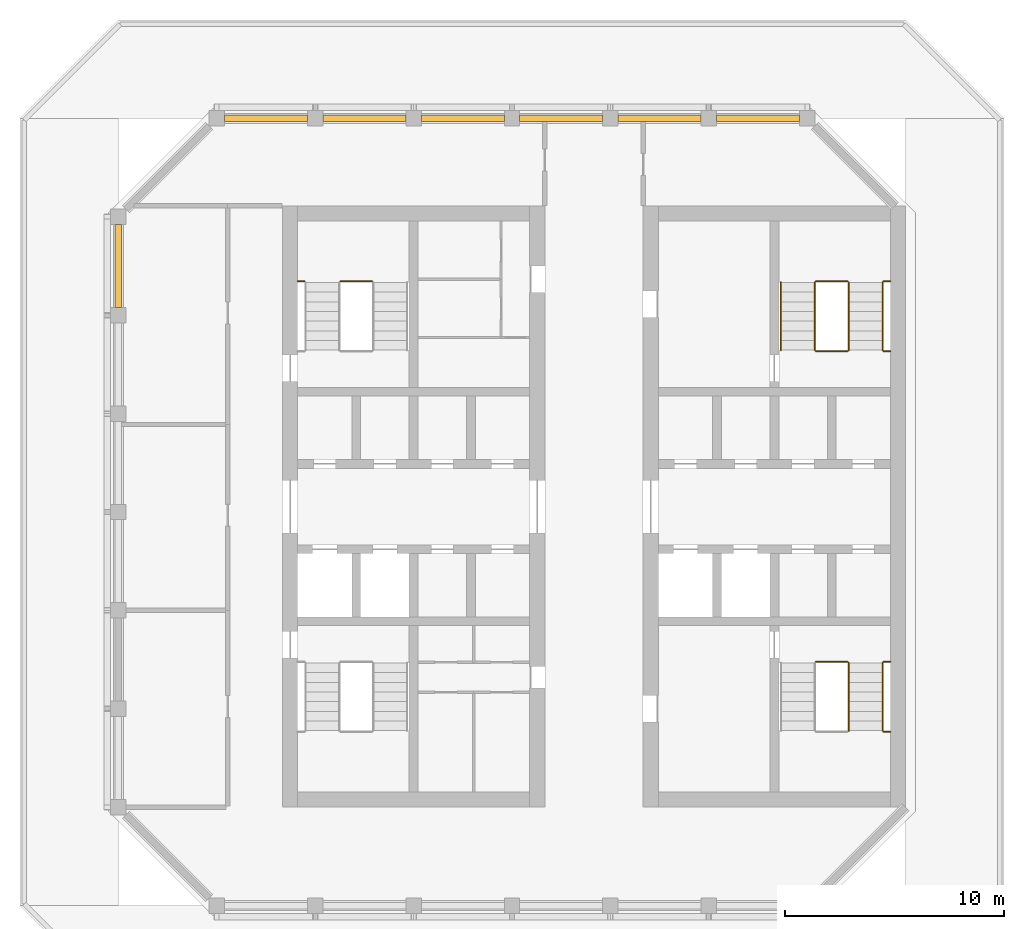
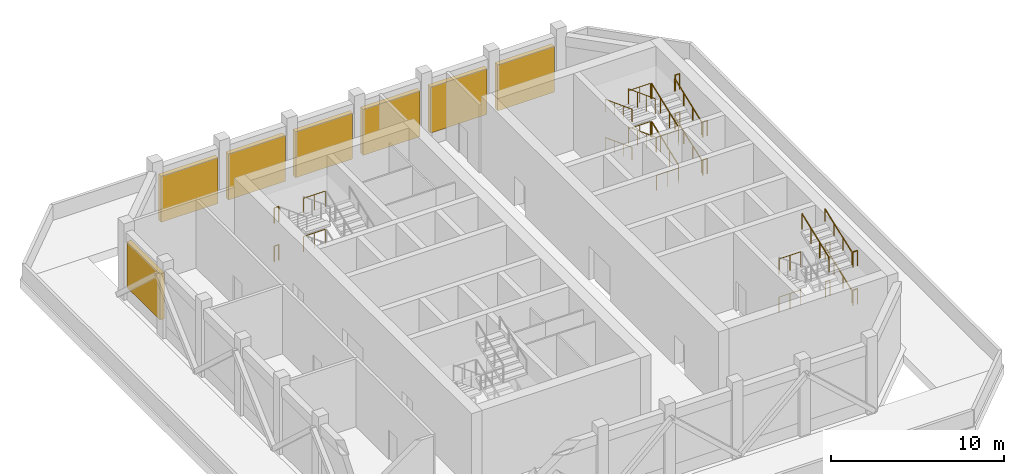
# One storey, part 8 of 8: 29 railings, 7 shading devices.
"""IFC4 building model written with IfcOpenShell, lengths in metres."""

from ifc_helpers import new_model, si_unit, direction, frame, origin, origin_2d, place, context, subcontext, project, spatial, rectangle, circle, extrude, material, layer, layer_set, type_object, element, save


model = new_model("IFC4")

# Units and contexts
model_context = context("Model", 3, precision=1e-05, world=origin(), true_north=direction((0.0, 1.0)))
body_context = subcontext(model_context, "Body", "Model", "MODEL_VIEW")
ifc_project = project(units=[si_unit("LENGTHUNIT", "METRE"), si_unit("AREAUNIT", "SQUARE_METRE"), si_unit("VOLUMEUNIT", "CUBIC_METRE"), si_unit("PLANEANGLEUNIT", "RADIAN"), si_unit("MASSUNIT", "GRAM", prefix="KILO")], contexts=[model_context])

# Site, building, storey
site_placement = place(None, origin())
site = spatial("IfcSite", under=ifc_project, at=site_placement, CompositionType="ELEMENT")
building_placement = place(site_placement, origin())
building = spatial("IfcBuilding", under=site, at=building_placement, Name="Corbel Stack Research Tower", CompositionType="ELEMENT")
storey_placement = place(building_placement, frame((0.0, 0.0, 301.0)))
storey = spatial("IfcBuildingStorey", under=building, at=storey_placement, Name="L68", CompositionType="ELEMENT", Elevation=301.0)

# Shading devices
ifc_material_1 = material(Name="Aluminium louvre", Category="aluminium")
ifc_layer = layer(ifc_material_1, 0.300048828125)
ifc_layer_set = layer_set([ifc_layer], Name="Aluminium louvre")
shading_device_type = type_object("IfcShadingDeviceType", Name="Plant louvre 300", PredefinedType="USERDEFINED", material=ifc_layer_set)
for number, where, z_axis, x_axis, name in (
    (1, (11.25, 22.5, 0.85009765625), (0.0, 0.0, 1.0), (-1.0, 0.0, 0.0), "Plant louvre L68-09"),
    (2, (6.75, 22.5, 0.85009765625), (0.0, 0.0, 1.0), (-1.0, 0.0, 0.0), "Plant louvre L68-10"),
    (3, (2.25, 22.5, 0.85009765625), (0.0, 0.0, 1.0), (-1.0, 0.0, 0.0), "Plant louvre L68-11"),
    (4, (-2.25, 22.5, 0.85009765625), (0.0, 0.0, 1.0), (-1.0, 0.0, 0.0), "Plant louvre L68-12"),
    (5, (-6.75, 22.5, 0.85009765625), (0.0, 0.0, 1.0), (-1.0, 0.0, 0.0), "Plant louvre L68-13"),
    (6, (-11.25, 22.5, 0.85009765625), (0.0, 0.0, 1.0), (-1.0, 0.0, 0.0), "Plant louvre L68-14"),
    (7, (-18.0, 15.75, 0.85009765625), (0.0, 0.0, 1.0), (0.0, -1.0, 0.0), "Plant louvre L68-16"),
):
    element("IfcShadingDevice", number, at=place(storey_placement, frame(where, z_axis=z_axis, x_axis=x_axis)), inside=storey, type_object=shading_device_type, Name=name, ObjectType="LOUVRE", PredefinedType="USERDEFINED", context=body_context, shape_type="SweptSolid", body=[
        extrude(rectangle(XDim=3.800048828125, YDim=0.300048828125, at=origin_2d()), origin(), (0.0, 0.0, 1.0), 3.25),
    ])

# Railings
ifc_material_2 = material(Name="Steel S355", Category="steel")
railing_type_1 = type_object("IfcRailingType", Name="Stair guard 1100", PredefinedType="GUARDRAIL", material=ifc_material_2)
railing_1_placement = place(storey_placement, frame((-6.39990234375, 15.051025390625, 1.35009765625)))
element("IfcRailing", 8, at=railing_1_placement, inside=storey, type_object=railing_type_1, Name="L68 ST-W2 stair guard 2", PredefinedType="GUARDRAIL", context=body_context, shape_type="SweptSolid", body=[
    extrude(circle(Radius=0.02392578125, at=origin_2d()), frame((0.0, 0.0, 1.076171875), z_axis=(-1.0, 0.0, 0.0), x_axis=(0.0, -1.0, 0.0)), (0.0, 0.0, 1.0), 1.4501953125),
    extrude(circle(Radius=0.02099609375, at=origin_2d()), origin(), (0.0, 0.0, 1.0), 1.052001953125),
    extrude(circle(Radius=0.02099609375, at=origin_2d()), frame((-0.72509765625, 0.0, 0.0)), (0.0, 0.0, 1.0), 1.052001953125),
    extrude(circle(Radius=0.02099609375, at=origin_2d()), frame((-1.4501953125, 0.0, 0.0)), (0.0, 0.0, 1.0), 1.052001953125),
])
railing_2_placement = place(storey_placement, frame((-9.5, 15.051025390625, 1.35009765625)))
element("IfcRailing", 9, at=railing_2_placement, inside=storey, type_object=railing_type_1, Name="L68 ST-W2 stair guard 3", PredefinedType="GUARDRAIL", context=body_context, shape_type="SweptSolid", body=[
    extrude(circle(Radius=0.02392578125, at=origin_2d()), frame((0.0, 0.0, 1.076171875), z_axis=(-1.0, 0.0, 0.0), x_axis=(0.0, -1.0, 0.0)), (0.0, 0.0, 1.0), 0.300048828125),
    extrude(circle(Radius=0.02099609375, at=origin_2d()), origin(), (0.0, 0.0, 1.0), 1.052001953125),
    extrude(circle(Radius=0.02099609375, at=origin_2d()), frame((-0.300048828125, 0.0, 0.0)), (0.0, 0.0, 1.0), 1.052001953125),
])
railing_3_placement = place(storey_placement, frame((-6.39990234375, 15.051025390625, 4.050048828125)))
element("IfcRailing", 10, at=railing_3_placement, inside=storey, type_object=railing_type_1, Name="L68 ST-W2 stair guard 8", PredefinedType="GUARDRAIL", context=body_context, shape_type="SweptSolid", body=[
    extrude(circle(Radius=0.02392578125, at=origin_2d()), frame((0.0, 0.0, 1.076171875), z_axis=(-1.0, 0.0, 0.0), x_axis=(0.0, -1.0, 0.0)), (0.0, 0.0, 1.0), 1.4501953125),
    extrude(circle(Radius=0.02099609375, at=origin_2d()), origin(), (0.0, 0.0, 1.0), 1.052001953125),
    extrude(circle(Radius=0.02099609375, at=origin_2d()), frame((-0.72509765625, 0.0, 0.0)), (0.0, 0.0, 1.0), 1.052001953125),
    extrude(circle(Radius=0.02099609375, at=origin_2d()), frame((-1.4501953125, 0.0, 0.0)), (0.0, 0.0, 1.0), 1.052001953125),
])
railing_4_placement = place(storey_placement, frame((-9.5, 15.051025390625, 4.050048828125)))
element("IfcRailing", 11, at=railing_4_placement, inside=storey, type_object=railing_type_1, Name="L68 ST-W2 stair guard 9", PredefinedType="GUARDRAIL", context=body_context, shape_type="SweptSolid", body=[
    extrude(circle(Radius=0.02392578125, at=origin_2d()), frame((0.0, 0.0, 1.076171875), z_axis=(-1.0, 0.0, 0.0), x_axis=(0.0, -1.0, 0.0)), (0.0, 0.0, 1.0), 0.300048828125),
    extrude(circle(Radius=0.02099609375, at=origin_2d()), origin(), (0.0, 0.0, 1.0), 1.052001953125),
    extrude(circle(Radius=0.02099609375, at=origin_2d()), frame((-0.300048828125, 0.0, 0.0)), (0.0, 0.0, 1.0), 1.052001953125),
])
railing_5_placement = place(storey_placement, frame((17.0, -5.551025390625, 1.35009765625)))
element("IfcRailing", 12, at=railing_5_placement, inside=storey, type_object=railing_type_1, Name="L68 ST-E1 stair guard 3", PredefinedType="GUARDRAIL", context=body_context, shape_type="SweptSolid", body=[
    extrude(circle(Radius=0.02392578125, at=origin_2d()), frame((0.0, 0.0, 1.076171875), z_axis=(1.0, 0.0, 0.0), x_axis=(0.0, 1.0, 0.0)), (0.0, 0.0, 1.0), 0.300048828125),
    extrude(circle(Radius=0.02099609375, at=origin_2d()), origin(), (0.0, 0.0, 1.0), 1.052001953125),
    extrude(circle(Radius=0.02099609375, at=origin_2d()), frame((0.300048828125, 0.0, 0.0)), (0.0, 0.0, 1.0), 1.052001953125),
])
railing_6_placement = place(storey_placement, frame((13.89990234375, -2.35009765625, 2.699951171875)))
element("IfcRailing", 13, at=railing_6_placement, inside=storey, type_object=railing_type_1, Name="L68 ST-E1 stair guard 5", PredefinedType="GUARDRAIL", context=body_context, shape_type="SweptSolid", body=[
    extrude(circle(Radius=0.02392578125, at=origin_2d()), frame((0.0, 0.0, 1.076171875), z_axis=(1.0, 0.0, 0.0), x_axis=(0.0, 1.0, 0.0)), (0.0, 0.0, 1.0), 1.4501953125),
    extrude(circle(Radius=0.02099609375, at=origin_2d()), origin(), (0.0, 0.0, 1.0), 1.052001953125),
    extrude(circle(Radius=0.02099609375, at=origin_2d()), frame((0.72509765625, 0.0, 0.0)), (0.0, 0.0, 1.0), 1.052001953125),
    extrude(circle(Radius=0.02099609375, at=origin_2d()), frame((1.4501953125, 0.0, 0.0)), (0.0, 0.0, 1.0), 1.052001953125),
])
for number, where, name in (
    (14, (17.0, -2.35009765625, 2.699951171875), "L68 ST-E1 stair guard 6"),
    (15, (17.0, -5.551025390625, 4.050048828125), "L68 ST-E1 stair guard 9"),
):
    element("IfcRailing", number, at=place(storey_placement, frame(where)), inside=storey, type_object=railing_type_1, Name=name, PredefinedType="GUARDRAIL", context=body_context, shape_type="SweptSolid", body=[
        extrude(circle(Radius=0.02392578125, at=origin_2d()), frame((0.0, 0.0, 1.076171875), z_axis=(1.0, 0.0, 0.0), x_axis=(0.0, 1.0, 0.0)), (0.0, 0.0, 1.0), 0.300048828125),
        extrude(circle(Radius=0.02099609375, at=origin_2d()), origin(), (0.0, 0.0, 1.0), 1.052001953125),
        extrude(circle(Radius=0.02099609375, at=origin_2d()), frame((0.300048828125, 0.0, 0.0)), (0.0, 0.0, 1.0), 1.052001953125),
    ])
railing_7_placement = place(storey_placement, frame((15.39990234375, -5.5009765625, 4.21875)))
element("IfcRailing", 16, at=railing_7_placement, inside=storey, type_object=railing_type_1, Name="L68 ST-E1 stair guard 10", PredefinedType="GUARDRAIL", context=body_context, shape_type="SweptSolid", body=[
    extrude(circle(Radius=0.02392578125, at=origin_2d()), frame((0.0, 0.0, 1.076171875), z_axis=(0.0, 0.934508712189, 0.355940257406), x_axis=(-1.0, 0.0, 0.0)), (0.0, 0.0, 1.0), 3.318359375),
    extrude(circle(Radius=0.02099609375, at=origin_2d()), origin(), (0.0, 0.0, 1.0), 1.052001953125),
    extrude(circle(Radius=0.02099609375, at=origin_2d()), frame((0.0, 1.03369140625, 0.393798828125)), (0.0, 0.0, 1.0), 1.052001953125),
    extrude(circle(Radius=0.02099609375, at=origin_2d()), frame((0.0, 2.0673828125, 0.787353515625)), (0.0, 0.0, 1.0), 1.052001953125),
    extrude(circle(Radius=0.02099609375, at=origin_2d()), frame((0.0, 3.10107421875, 1.18115234375)), (0.0, 0.0, 1.0), 1.052001953125),
])
railing_8_placement = place(storey_placement, frame((13.89990234375, -2.35009765625, 0.0)))
element("IfcRailing", 17, at=railing_8_placement, inside=storey, type_object=railing_type_1, Name="L68 ST-E1 stair guard 11", PredefinedType="GUARDRAIL", context=body_context, shape_type="SweptSolid", body=[
    extrude(circle(Radius=0.02392578125, at=origin_2d()), frame((0.0, 0.0, 1.076171875), z_axis=(1.0, 0.0, 0.0), x_axis=(0.0, 1.0, 0.0)), (0.0, 0.0, 1.0), 1.4501953125),
    extrude(circle(Radius=0.02099609375, at=origin_2d()), origin(), (0.0, 0.0, 1.0), 1.052001953125),
    extrude(circle(Radius=0.02099609375, at=origin_2d()), frame((0.72509765625, 0.0, 0.0)), (0.0, 0.0, 1.0), 1.052001953125),
    extrude(circle(Radius=0.02099609375, at=origin_2d()), frame((1.4501953125, 0.0, 0.0)), (0.0, 0.0, 1.0), 1.052001953125),
])
railing_9_placement = place(storey_placement, frame((17.0, -2.35009765625, 0.0)))
element("IfcRailing", 18, at=railing_9_placement, inside=storey, type_object=railing_type_1, Name="L68 ST-E1 stair guard 12", PredefinedType="GUARDRAIL", context=body_context, shape_type="SweptSolid", body=[
    extrude(circle(Radius=0.02392578125, at=origin_2d()), frame((0.0, 0.0, 1.076171875), z_axis=(1.0, 0.0, 0.0), x_axis=(0.0, 1.0, 0.0)), (0.0, 0.0, 1.0), 0.300048828125),
    extrude(circle(Radius=0.02099609375, at=origin_2d()), origin(), (0.0, 0.0, 1.0), 1.052001953125),
    extrude(circle(Radius=0.02099609375, at=origin_2d()), frame((0.300048828125, 0.0, 0.0)), (0.0, 0.0, 1.0), 1.052001953125),
])
railing_10_placement = place(storey_placement, frame((15.39990234375, 11.89990234375, 0.168701171875)))
element("IfcRailing", 19, at=railing_10_placement, inside=storey, type_object=railing_type_1, Name="L68 ST-E2 stair guard 1", PredefinedType="GUARDRAIL", context=body_context, shape_type="SweptSolid", body=[
    extrude(circle(Radius=0.02392578125, at=origin_2d()), frame((0.0, 0.0, 1.076171875), z_axis=(0.0, 0.934484238495, 0.356004505596), x_axis=(-1.0, 0.0, 0.0)), (0.0, 0.0, 1.0), 3.318603515625),
    extrude(circle(Radius=0.02099609375, at=origin_2d()), origin(), (0.0, 0.0, 1.0), 1.052001953125),
    extrude(circle(Radius=0.02099609375, at=origin_2d()), frame((0.0, 1.03369140625, 0.393798828125)), (0.0, 0.0, 1.0), 1.052001953125),
    extrude(circle(Radius=0.02099609375, at=origin_2d()), frame((0.0, 2.0673828125, 0.78759765625)), (0.0, 0.0, 1.0), 1.052001953125),
    extrude(circle(Radius=0.02099609375, at=origin_2d()), frame((0.0, 3.10107421875, 1.181396484375)), (0.0, 0.0, 1.0), 1.052001953125),
])
railing_11_placement = place(storey_placement, frame((15.35009765625, 15.051025390625, 1.35009765625)))
element("IfcRailing", 20, at=railing_11_placement, inside=storey, type_object=railing_type_1, Name="L68 ST-E2 stair guard 2", PredefinedType="GUARDRAIL", context=body_context, shape_type="SweptSolid", body=[
    extrude(circle(Radius=0.02392578125, at=origin_2d()), frame((0.0, 0.0, 1.076171875), z_axis=(-1.0, 0.0, 0.0), x_axis=(0.0, -1.0, 0.0)), (0.0, 0.0, 1.0), 1.4501953125),
    extrude(circle(Radius=0.02099609375, at=origin_2d()), origin(), (0.0, 0.0, 1.0), 1.052001953125),
    extrude(circle(Radius=0.02099609375, at=origin_2d()), frame((-0.72509765625, 0.0, 0.0)), (0.0, 0.0, 1.0), 1.052001953125),
    extrude(circle(Radius=0.02099609375, at=origin_2d()), frame((-1.4501953125, 0.0, 0.0)), (0.0, 0.0, 1.0), 1.052001953125),
])
railing_12_placement = place(storey_placement, frame((17.300048828125, 15.051025390625, 1.35009765625)))
element("IfcRailing", 21, at=railing_12_placement, inside=storey, type_object=railing_type_1, Name="L68 ST-E2 stair guard 3", PredefinedType="GUARDRAIL", context=body_context, shape_type="SweptSolid", body=[
    extrude(circle(Radius=0.02392578125, at=origin_2d()), frame((0.0, 0.0, 1.076171875), z_axis=(-1.0, 0.0, 0.0), x_axis=(0.0, -1.0, 0.0)), (0.0, 0.0, 1.0), 0.300048828125),
    extrude(circle(Radius=0.02099609375, at=origin_2d()), origin(), (0.0, 0.0, 1.0), 1.052001953125),
    extrude(circle(Radius=0.02099609375, at=origin_2d()), frame((-0.300048828125, 0.0, 0.0)), (0.0, 0.0, 1.0), 1.052001953125),
])
railing_13_placement = place(storey_placement, frame((13.85009765625, 15.0009765625, 1.518798828125)))
element("IfcRailing", 22, at=railing_13_placement, inside=storey, type_object=railing_type_1, Name="L68 ST-E2 stair guard 4", PredefinedType="GUARDRAIL", context=body_context, shape_type="SweptSolid", body=[
    extrude(circle(Radius=0.02392578125, at=origin_2d()), frame((0.0, 0.0, 1.076171875), z_axis=(0.0, -0.934508712189, 0.355940257406), x_axis=(1.0, 0.0, 0.0)), (0.0, 0.0, 1.0), 3.318359375),
    extrude(circle(Radius=0.02099609375, at=origin_2d()), origin(), (0.0, 0.0, 1.0), 1.052001953125),
    extrude(circle(Radius=0.02099609375, at=origin_2d()), frame((0.0, -1.03369140625, 0.393798828125)), (0.0, 0.0, 1.0), 1.052001953125),
    extrude(circle(Radius=0.02099609375, at=origin_2d()), frame((0.0, -2.0673828125, 0.787353515625)), (0.0, 0.0, 1.0), 1.052001953125),
    extrude(circle(Radius=0.02099609375, at=origin_2d()), frame((0.0, -3.10107421875, 1.18115234375)), (0.0, 0.0, 1.0), 1.052001953125),
])
railing_14_placement = place(storey_placement, frame((15.35009765625, 11.85009765625, 2.699951171875)))
element("IfcRailing", 23, at=railing_14_placement, inside=storey, type_object=railing_type_1, Name="L68 ST-E2 stair guard 5", PredefinedType="GUARDRAIL", context=body_context, shape_type="SweptSolid", body=[
    extrude(circle(Radius=0.02392578125, at=origin_2d()), frame((0.0, 0.0, 1.076171875), z_axis=(-1.0, 0.0, 0.0), x_axis=(0.0, -1.0, 0.0)), (0.0, 0.0, 1.0), 1.4501953125),
    extrude(circle(Radius=0.02099609375, at=origin_2d()), origin(), (0.0, 0.0, 1.0), 1.052001953125),
    extrude(circle(Radius=0.02099609375, at=origin_2d()), frame((-0.72509765625, 0.0, 0.0)), (0.0, 0.0, 1.0), 1.052001953125),
    extrude(circle(Radius=0.02099609375, at=origin_2d()), frame((-1.4501953125, 0.0, 0.0)), (0.0, 0.0, 1.0), 1.052001953125),
])
railing_15_placement = place(storey_placement, frame((17.300048828125, 11.85009765625, 2.699951171875)))
element("IfcRailing", 24, at=railing_15_placement, inside=storey, type_object=railing_type_1, Name="L68 ST-E2 stair guard 6", PredefinedType="GUARDRAIL", context=body_context, shape_type="SweptSolid", body=[
    extrude(circle(Radius=0.02392578125, at=origin_2d()), frame((0.0, 0.0, 1.076171875), z_axis=(-1.0, 0.0, 0.0), x_axis=(0.0, -1.0, 0.0)), (0.0, 0.0, 1.0), 0.300048828125),
    extrude(circle(Radius=0.02099609375, at=origin_2d()), origin(), (0.0, 0.0, 1.0), 1.052001953125),
    extrude(circle(Radius=0.02099609375, at=origin_2d()), frame((-0.300048828125, 0.0, 0.0)), (0.0, 0.0, 1.0), 1.052001953125),
])
railing_16_placement = place(storey_placement, frame((15.39990234375, 11.89990234375, 2.86865234375)))
element("IfcRailing", 25, at=railing_16_placement, inside=storey, type_object=railing_type_1, Name="L68 ST-E2 stair guard 7", PredefinedType="GUARDRAIL", context=body_context, shape_type="SweptSolid", body=[
    extrude(circle(Radius=0.02392578125, at=origin_2d()), frame((0.0, 0.0, 1.076171875), z_axis=(0.0, 0.934484238495, 0.356004505596), x_axis=(-1.0, 0.0, 0.0)), (0.0, 0.0, 1.0), 3.318603515625),
    extrude(circle(Radius=0.02099609375, at=origin_2d()), origin(), (0.0, 0.0, 1.0), 1.052001953125),
    extrude(circle(Radius=0.02099609375, at=origin_2d()), frame((0.0, 1.03369140625, 0.393798828125)), (0.0, 0.0, 1.0), 1.052001953125),
    extrude(circle(Radius=0.02099609375, at=origin_2d()), frame((0.0, 2.0673828125, 0.78759765625)), (0.0, 0.0, 1.0), 1.052001953125),
    extrude(circle(Radius=0.02099609375, at=origin_2d()), frame((0.0, 3.10107421875, 1.181396484375)), (0.0, 0.0, 1.0), 1.052001953125),
])
railing_17_placement = place(storey_placement, frame((15.35009765625, 15.051025390625, 4.050048828125)))
element("IfcRailing", 26, at=railing_17_placement, inside=storey, type_object=railing_type_1, Name="L68 ST-E2 stair guard 8", PredefinedType="GUARDRAIL", context=body_context, shape_type="SweptSolid", body=[
    extrude(circle(Radius=0.02392578125, at=origin_2d()), frame((0.0, 0.0, 1.076171875), z_axis=(-1.0, 0.0, 0.0), x_axis=(0.0, -1.0, 0.0)), (0.0, 0.0, 1.0), 1.4501953125),
    extrude(circle(Radius=0.02099609375, at=origin_2d()), origin(), (0.0, 0.0, 1.0), 1.052001953125),
    extrude(circle(Radius=0.02099609375, at=origin_2d()), frame((-0.72509765625, 0.0, 0.0)), (0.0, 0.0, 1.0), 1.052001953125),
    extrude(circle(Radius=0.02099609375, at=origin_2d()), frame((-1.4501953125, 0.0, 0.0)), (0.0, 0.0, 1.0), 1.052001953125),
])
railing_18_placement = place(storey_placement, frame((17.300048828125, 15.051025390625, 4.050048828125)))
element("IfcRailing", 27, at=railing_18_placement, inside=storey, type_object=railing_type_1, Name="L68 ST-E2 stair guard 9", PredefinedType="GUARDRAIL", context=body_context, shape_type="SweptSolid", body=[
    extrude(circle(Radius=0.02392578125, at=origin_2d()), frame((0.0, 0.0, 1.076171875), z_axis=(-1.0, 0.0, 0.0), x_axis=(0.0, -1.0, 0.0)), (0.0, 0.0, 1.0), 0.300048828125),
    extrude(circle(Radius=0.02099609375, at=origin_2d()), origin(), (0.0, 0.0, 1.0), 1.052001953125),
    extrude(circle(Radius=0.02099609375, at=origin_2d()), frame((-0.300048828125, 0.0, 0.0)), (0.0, 0.0, 1.0), 1.052001953125),
])
railing_19_placement = place(storey_placement, frame((13.85009765625, 15.0009765625, 4.21875)))
element("IfcRailing", 28, at=railing_19_placement, inside=storey, type_object=railing_type_1, Name="L68 ST-E2 stair guard 10", PredefinedType="GUARDRAIL", context=body_context, shape_type="SweptSolid", body=[
    extrude(circle(Radius=0.02392578125, at=origin_2d()), frame((0.0, 0.0, 1.076171875), z_axis=(0.0, -0.934508712189, 0.355940257406), x_axis=(1.0, 0.0, 0.0)), (0.0, 0.0, 1.0), 3.318359375),
    extrude(circle(Radius=0.02099609375, at=origin_2d()), origin(), (0.0, 0.0, 1.0), 1.052001953125),
    extrude(circle(Radius=0.02099609375, at=origin_2d()), frame((0.0, -1.03369140625, 0.393798828125)), (0.0, 0.0, 1.0), 1.052001953125),
    extrude(circle(Radius=0.02099609375, at=origin_2d()), frame((0.0, -2.0673828125, 0.787353515625)), (0.0, 0.0, 1.0), 1.052001953125),
    extrude(circle(Radius=0.02099609375, at=origin_2d()), frame((0.0, -3.10107421875, 1.18115234375)), (0.0, 0.0, 1.0), 1.052001953125),
])
railing_20_placement = place(storey_placement, frame((15.35009765625, 11.85009765625, 0.0)))
element("IfcRailing", 29, at=railing_20_placement, inside=storey, type_object=railing_type_1, Name="L68 ST-E2 stair guard 11", PredefinedType="GUARDRAIL", context=body_context, shape_type="SweptSolid", body=[
    extrude(circle(Radius=0.02392578125, at=origin_2d()), frame((0.0, 0.0, 1.076171875), z_axis=(-1.0, 0.0, 0.0), x_axis=(0.0, -1.0, 0.0)), (0.0, 0.0, 1.0), 1.4501953125),
    extrude(circle(Radius=0.02099609375, at=origin_2d()), origin(), (0.0, 0.0, 1.0), 1.052001953125),
    extrude(circle(Radius=0.02099609375, at=origin_2d()), frame((-0.72509765625, 0.0, 0.0)), (0.0, 0.0, 1.0), 1.052001953125),
    extrude(circle(Radius=0.02099609375, at=origin_2d()), frame((-1.4501953125, 0.0, 0.0)), (0.0, 0.0, 1.0), 1.052001953125),
])
railing_21_placement = place(storey_placement, frame((17.300048828125, 11.85009765625, 0.0)))
element("IfcRailing", 30, at=railing_21_placement, inside=storey, type_object=railing_type_1, Name="L68 ST-E2 stair guard 12", PredefinedType="GUARDRAIL", context=body_context, shape_type="SweptSolid", body=[
    extrude(circle(Radius=0.02392578125, at=origin_2d()), frame((0.0, 0.0, 1.076171875), z_axis=(-1.0, 0.0, 0.0), x_axis=(0.0, -1.0, 0.0)), (0.0, 0.0, 1.0), 0.300048828125),
    extrude(circle(Radius=0.02099609375, at=origin_2d()), origin(), (0.0, 0.0, 1.0), 1.052001953125),
    extrude(circle(Radius=0.02099609375, at=origin_2d()), frame((-0.300048828125, 0.0, 0.0)), (0.0, 0.0, 1.0), 1.052001953125),
])
ifc_material_3 = material(Name="Steel S355", Category="steel")
railing_type_2 = type_object("IfcRailingType", Name="Stair handrail 900", PredefinedType="HANDRAIL", material=ifc_material_3)
for number, where, name in (
    (31, (16.949951171875, -5.5009765625, 1.518798828125), "L68 ST-E1 stair handrail 2"),
    (32, (16.949951171875, -5.5009765625, 4.21875), "L68 ST-E1 stair handrail 4"),
):
    element("IfcRailing", number, at=place(storey_placement, frame(where)), inside=storey, type_object=railing_type_2, Name=name, PredefinedType="HANDRAIL", context=body_context, shape_type="SweptSolid", body=[
        extrude(circle(Radius=0.02392578125, at=origin_2d()), frame((0.0, 0.0, 0.8759765625), z_axis=(0.0, 0.934508712189, 0.355940257406), x_axis=(-1.0, 0.0, 0.0)), (0.0, 0.0, 1.0), 3.318359375),
        extrude(circle(Radius=0.02099609375, at=origin_2d()), origin(), (0.0, 0.0, 1.0), 0.851806640625),
        extrude(circle(Radius=0.02099609375, at=origin_2d()), frame((0.0, 1.03369140625, 0.393798828125)), (0.0, 0.0, 1.0), 0.851806640625),
        extrude(circle(Radius=0.02099609375, at=origin_2d()), frame((0.0, 2.0673828125, 0.787353515625)), (0.0, 0.0, 1.0), 0.851806640625),
        extrude(circle(Radius=0.02099609375, at=origin_2d()), frame((0.0, 3.10107421875, 1.18115234375)), (0.0, 0.0, 1.0), 0.851806640625),
    ])
railing_22_placement = place(storey_placement, frame((16.949951171875, 11.89990234375, 0.168701171875)))
element("IfcRailing", 33, at=railing_22_placement, inside=storey, type_object=railing_type_2, Name="L68 ST-E2 stair handrail 1", PredefinedType="HANDRAIL", context=body_context, shape_type="SweptSolid", body=[
    extrude(circle(Radius=0.02392578125, at=origin_2d()), frame((0.0, 0.0, 0.8759765625), z_axis=(0.0, 0.934484238495, 0.356004505596), x_axis=(-1.0, 0.0, 0.0)), (0.0, 0.0, 1.0), 3.318603515625),
    extrude(circle(Radius=0.02099609375, at=origin_2d()), origin(), (0.0, 0.0, 1.0), 0.851806640625),
    extrude(circle(Radius=0.02099609375, at=origin_2d()), frame((0.0, 1.03369140625, 0.393798828125)), (0.0, 0.0, 1.0), 0.851806640625),
    extrude(circle(Radius=0.02099609375, at=origin_2d()), frame((0.0, 2.0673828125, 0.78759765625)), (0.0, 0.0, 1.0), 0.851806640625),
    extrude(circle(Radius=0.02099609375, at=origin_2d()), frame((0.0, 3.10107421875, 1.181396484375)), (0.0, 0.0, 1.0), 0.851806640625),
])
railing_23_placement = place(storey_placement, frame((12.300048828125, 15.0009765625, 1.518798828125)))
element("IfcRailing", 34, at=railing_23_placement, inside=storey, type_object=railing_type_2, Name="L68 ST-E2 stair handrail 2", PredefinedType="HANDRAIL", context=body_context, shape_type="SweptSolid", body=[
    extrude(circle(Radius=0.02392578125, at=origin_2d()), frame((0.0, 0.0, 0.8759765625), z_axis=(0.0, -0.934508712189, 0.355940257406), x_axis=(1.0, 0.0, 0.0)), (0.0, 0.0, 1.0), 3.318359375),
    extrude(circle(Radius=0.02099609375, at=origin_2d()), origin(), (0.0, 0.0, 1.0), 0.851806640625),
    extrude(circle(Radius=0.02099609375, at=origin_2d()), frame((0.0, -1.03369140625, 0.393798828125)), (0.0, 0.0, 1.0), 0.851806640625),
    extrude(circle(Radius=0.02099609375, at=origin_2d()), frame((0.0, -2.0673828125, 0.787353515625)), (0.0, 0.0, 1.0), 0.851806640625),
    extrude(circle(Radius=0.02099609375, at=origin_2d()), frame((0.0, -3.10107421875, 1.18115234375)), (0.0, 0.0, 1.0), 0.851806640625),
])
railing_24_placement = place(storey_placement, frame((16.949951171875, 11.89990234375, 2.86865234375)))
element("IfcRailing", 35, at=railing_24_placement, inside=storey, type_object=railing_type_2, Name="L68 ST-E2 stair handrail 3", PredefinedType="HANDRAIL", context=body_context, shape_type="SweptSolid", body=[
    extrude(circle(Radius=0.02392578125, at=origin_2d()), frame((0.0, 0.0, 0.8759765625), z_axis=(0.0, 0.934484238495, 0.356004505596), x_axis=(-1.0, 0.0, 0.0)), (0.0, 0.0, 1.0), 3.318603515625),
    extrude(circle(Radius=0.02099609375, at=origin_2d()), origin(), (0.0, 0.0, 1.0), 0.851806640625),
    extrude(circle(Radius=0.02099609375, at=origin_2d()), frame((0.0, 1.03369140625, 0.393798828125)), (0.0, 0.0, 1.0), 0.851806640625),
    extrude(circle(Radius=0.02099609375, at=origin_2d()), frame((0.0, 2.0673828125, 0.78759765625)), (0.0, 0.0, 1.0), 0.851806640625),
    extrude(circle(Radius=0.02099609375, at=origin_2d()), frame((0.0, 3.10107421875, 1.181396484375)), (0.0, 0.0, 1.0), 0.851806640625),
])
railing_25_placement = place(storey_placement, frame((12.300048828125, 15.0009765625, 4.21875)))
element("IfcRailing", 36, at=railing_25_placement, inside=storey, type_object=railing_type_2, Name="L68 ST-E2 stair handrail 4", PredefinedType="HANDRAIL", context=body_context, shape_type="SweptSolid", body=[
    extrude(circle(Radius=0.02392578125, at=origin_2d()), frame((0.0, 0.0, 0.8759765625), z_axis=(0.0, -0.934508712189, 0.355940257406), x_axis=(1.0, 0.0, 0.0)), (0.0, 0.0, 1.0), 3.318359375),
    extrude(circle(Radius=0.02099609375, at=origin_2d()), origin(), (0.0, 0.0, 1.0), 0.851806640625),
    extrude(circle(Radius=0.02099609375, at=origin_2d()), frame((0.0, -1.03369140625, 0.393798828125)), (0.0, 0.0, 1.0), 0.851806640625),
    extrude(circle(Radius=0.02099609375, at=origin_2d()), frame((0.0, -2.0673828125, 0.787353515625)), (0.0, 0.0, 1.0), 0.851806640625),
    extrude(circle(Radius=0.02099609375, at=origin_2d()), frame((0.0, -3.10107421875, 1.18115234375)), (0.0, 0.0, 1.0), 0.851806640625),
])

save(model, "model.ifc")
